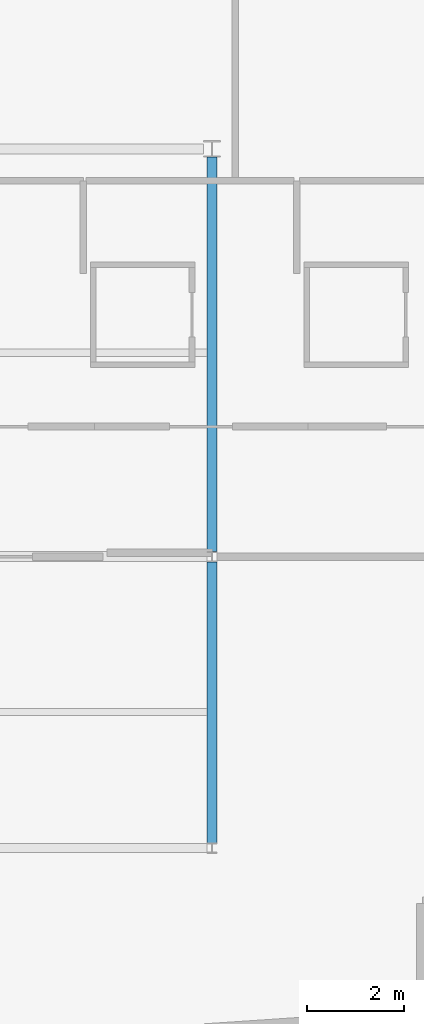
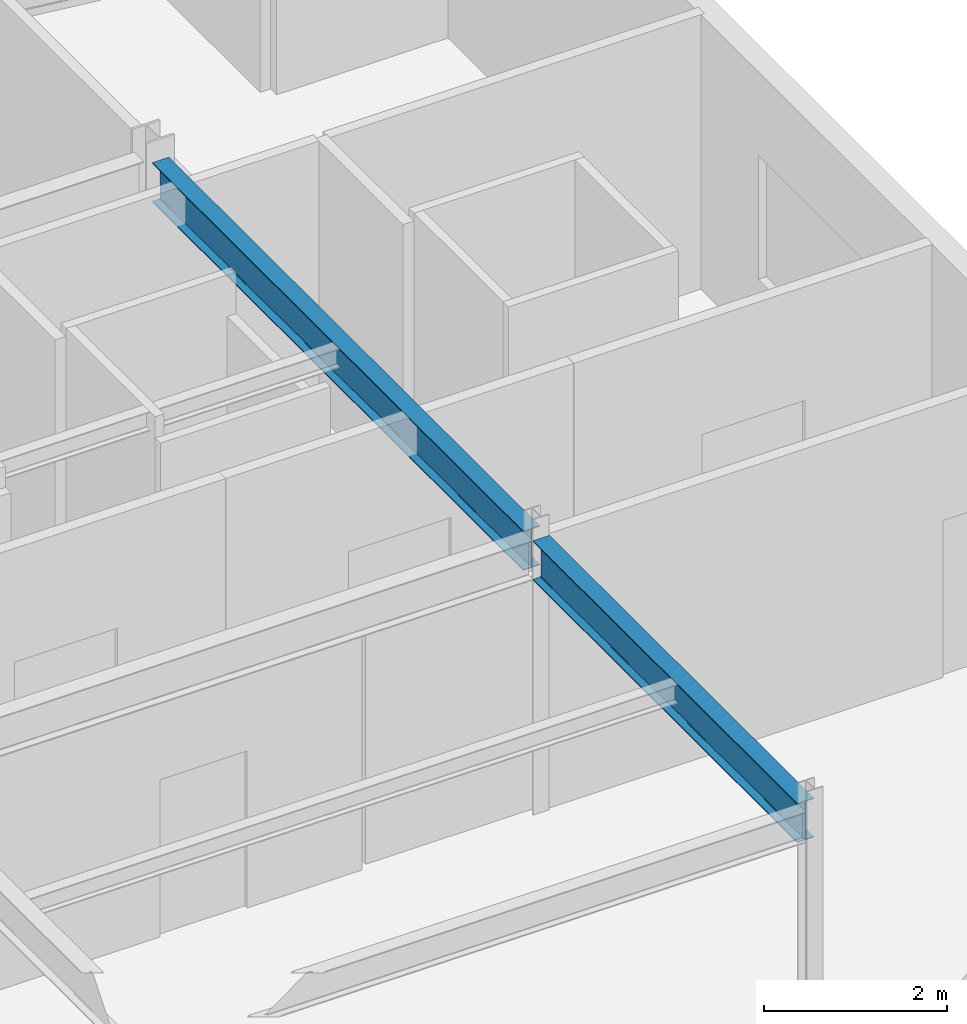
# One storey, part 7 of 15: 2 beams.
"""IFC4 building model written with IfcOpenShell, lengths in metres."""

from ifc_helpers import new_model, si_unit, direction, frame, origin, origin_2d, place, context, subcontext, project, spatial, i_section, extrude, material, material_profile, profile_set, type_object, element, save


model = new_model("IFC4")

# Units and contexts
model_context = context("Model", 3, precision=1e-05, world=origin(), true_north=direction((0.0, 1.0)))
body_context = subcontext(model_context, "Body", "Model", "MODEL_VIEW")
ifc_project = project(units=[si_unit("LENGTHUNIT", "METRE"), si_unit("AREAUNIT", "SQUARE_METRE"), si_unit("VOLUMEUNIT", "CUBIC_METRE"), si_unit("PLANEANGLEUNIT", "RADIAN"), si_unit("MASSUNIT", "GRAM", prefix="KILO")], contexts=[model_context])

# Site, building, storey
site_placement = place(None, origin())
site = spatial("IfcSite", under=ifc_project, at=site_placement, CompositionType="ELEMENT")
building_placement = place(site_placement, origin())
building = spatial("IfcBuilding", under=site, at=building_placement, Name="Varnakote Quay Hospital", CompositionType="ELEMENT")
storey_placement = place(building_placement, frame((0.0, 0.0, 300.0)))
storey = spatial("IfcBuildingStorey", under=building, at=storey_placement, Name="L74", CompositionType="ELEMENT", Elevation=300.0)

# Beams
ifc_material = material(Name="Structural steel AS/NZS 3679.1 Grade 350 L0 (fy 340 MPa)", Category="steel")
ifc_material_profile = material_profile(ifc_material, i_section(OverallWidth=0.208984375, OverallDepth=0.528076171875, WebThickness=0.009521484375, FlangeThickness=0.01318359375, FilletRadius=0.013916015625, at=origin_2d()), Name="530UB82.0")
ifc_profile_set = profile_set([ifc_material_profile], Name="Structural steel AS/NZS 3679.1 Grade 350 L0 (fy 340 MPa)")
beam_type = type_object("IfcBeamType", Name="BM-STL-530UB82-0", PredefinedType="BEAM", material=ifc_profile_set)
beam_1_placement = place(storey_placement, frame((33.60009765625, 6.10498046875, 3.406005859375), z_axis=(0.0, 1.0, 0.0), x_axis=(-1.0, 0.0, 0.0)))
element("IfcBeam", 1, at=beam_1_placement, inside=storey, type_object=beam_type, Name="L74 Primary Tie Beam", PredefinedType="BEAM", context=body_context, shape_type="SweptSolid", body=[
    extrude(i_section(OverallWidth=0.208984375, OverallDepth=0.528076171875, WebThickness=0.009521484375, FlangeThickness=0.01318359375, FilletRadius=0.013916015625, at=origin_2d()), origin(), (0.0, 0.0, 1.0), 5.7900390625),
])
beam_2_placement = place(storey_placement, frame((33.60009765625, 12.10498046875, 3.406005859375), z_axis=(0.0, 1.0, 0.0), x_axis=(-1.0, 0.0, 0.0)))
element("IfcBeam", 2, at=beam_2_placement, inside=storey, type_object=beam_type, Name="L74 Primary Tie Beam", PredefinedType="BEAM", context=body_context, shape_type="SweptSolid", body=[
    extrude(i_section(OverallWidth=0.208984375, OverallDepth=0.528076171875, WebThickness=0.009521484375, FlangeThickness=0.01318359375, FilletRadius=0.013916015625, at=origin_2d()), origin(), (0.0, 0.0, 1.0), 8.125),
])

save(model, "model.ifc")
